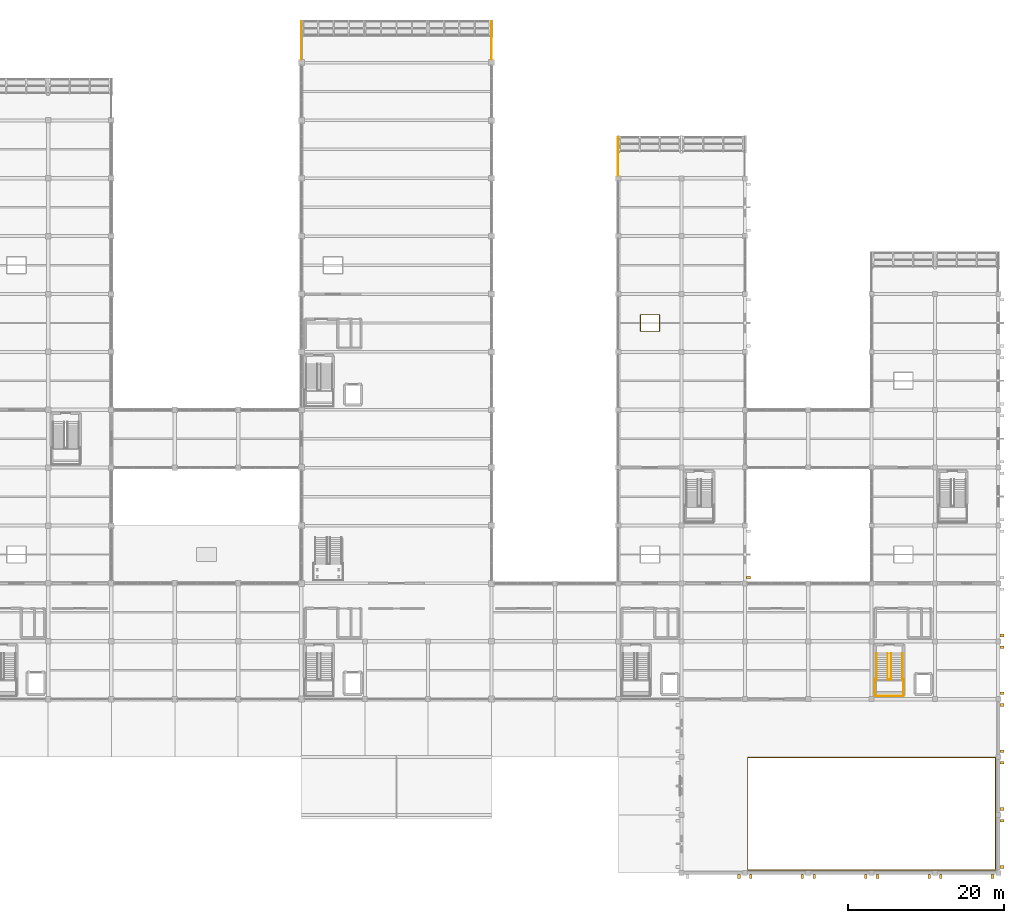
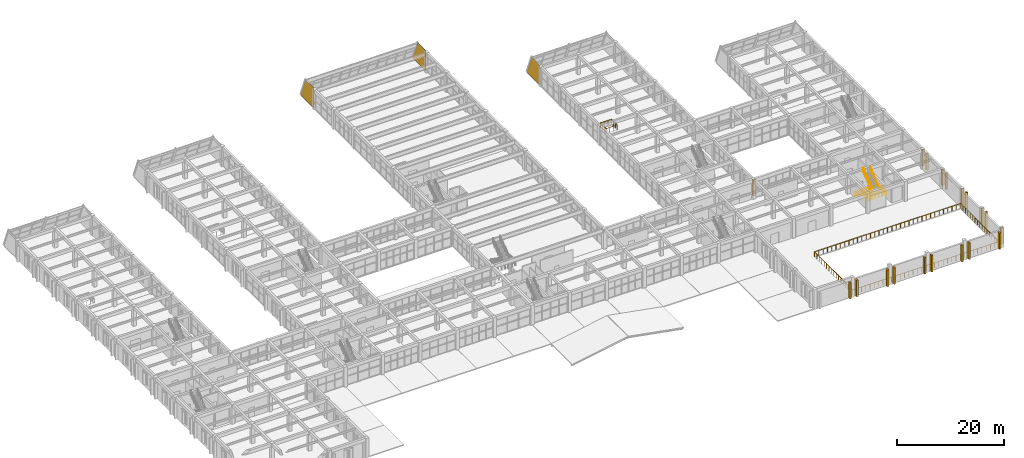
# One storey, part 160 of 161: 19 shading devices, 6 railings, 3 coverings.
"""IFC4 building model written with IfcOpenShell, lengths in metres."""

from ifc_helpers import new_model, si_unit, direction, frame, origin, origin_2d, place, context, subcontext, project, spatial, polyline, rectangle, circle, outline, extrude, material, layer, layer_set, type_object, element, save


model = new_model("IFC4")

# Units and contexts
model_context = context("Model", 3, precision=1e-05, world=origin(), true_north=direction((0.0, 1.0)))
body_context = subcontext(model_context, "Body", "Model", "MODEL_VIEW")
ifc_project = project(units=[si_unit("LENGTHUNIT", "METRE"), si_unit("AREAUNIT", "SQUARE_METRE"), si_unit("VOLUMEUNIT", "CUBIC_METRE"), si_unit("PLANEANGLEUNIT", "RADIAN"), si_unit("MASSUNIT", "GRAM", prefix="KILO")], contexts=[model_context])

# Site, building, storey
site_placement = place(None, origin())
site = spatial("IfcSite", under=ifc_project, at=site_placement, CompositionType="ELEMENT")
building_placement = place(site_placement, origin())
building = spatial("IfcBuilding", under=site, at=building_placement, Name="Cimatlan Art Gallery", CompositionType="ELEMENT")
storey_placement = place(building_placement, frame((0.0, 0.0, 5.39990234375)))
storey = spatial("IfcBuildingStorey", under=building, at=storey_placement, Name="L01", CompositionType="ELEMENT", Elevation=5.39990234375)

# Coverings
ifc_material_1 = material(Name="Queretaro cantera limestone ashlar hood-mould", Category="masonry")
ifc_layer = layer(ifc_material_1, 0.0419921875)
ifc_layer_set = layer_set([ifc_layer], Name="Queretaro cantera limestone ashlar hood-mould")
covering_type = type_object("IfcCoveringType", Name="COV-CLAD-CANTERA-42", PredefinedType="CLADDING", material=ifc_layer_set)
for number, where, z_axis, x_axis, name in (
    (1, (74.89990234375, 105.64990234375, 0.0), (1.0, 0.0, 0.0), (0.0, 1.0, 0.0), "CLD-PRW-L01-B3-W"),
    (2, (99.199951171875, 105.64990234375, 0.0), (1.0, 0.0, 0.0), (0.0, 1.0, 0.0), "CLD-PRW-L01-B3-E"),
):
    element("IfcCovering", number, at=place(storey_placement, frame(where, z_axis=z_axis, x_axis=x_axis)), inside=storey, type_object=covering_type, Name=name, PredefinedType="CLADDING", context=body_context, shape_type="SweptSolid", body=[
        extrude(outline(polyline([(0.0, 0.0), (4.923095703125, 0.0), (3.0322265625, 4.580078125), (0.0, 4.580078125), (0.0, 0.0)])), origin(), (0.0, 0.0, -1.0), 0.0419921875),
    ])
covering_placement = place(storey_placement, frame((115.39990234375, 90.85009765625, 0.0), z_axis=(1.0, 0.0, 0.0), x_axis=(0.0, 1.0, 0.0)))
element("IfcCovering", 3, at=covering_placement, inside=storey, type_object=covering_type, Name="CLD-PRW-L01-B4-W", PredefinedType="CLADDING", context=body_context, shape_type="SweptSolid", body=[
    extrude(outline(polyline([(0.0, 0.0), (4.9228515625, 0.0), (3.031982421875, 4.580078125), (0.0, 4.580078125), (0.0, 0.0)])), origin(), (0.0, 0.0, -1.0), 0.0419921875),
])

# Railings
ifc_material_2 = material(Name="Painted steel and bronze interior balustrade", Category="steel")
railing_type_1 = type_object("IfcRailingType", Name="RL-BAL-INT-1120", PredefinedType="BALUSTRADE", material=ifc_material_2)
railing_1_placement = place(storey_placement, frame((148.2099609375, 26.510009765625, 2.400146484375)))
element("IfcRailing", 4, at=railing_1_placement, inside=storey, type_object=railing_type_1, Name="STR-C5-L01-LGRD", PredefinedType="BALUSTRADE", context=body_context, shape_type="SweptSolid", body=[
    extrude(circle(Radius=0.02392578125, at=origin_2d()), frame((0.0, 0.0, 1.09619140625), z_axis=(0.0, -1.0, 0.0), x_axis=(1.0, 0.0, 0.0)), (0.0, 0.0, 1.0), 2.199951171875),
    extrude(circle(Radius=0.02392578125, at=origin_2d()), frame((0.0, -2.199951171875, 1.09619140625), z_axis=(1.0, 0.0, 0.0), x_axis=(0.0, 1.0, 0.0)), (0.0, 0.0, 1.0), 3.669921875),
    extrude(circle(Radius=0.02392578125, at=origin_2d()), frame((3.669921875, -2.199951171875, 1.09619140625), z_axis=(0.0, 1.0, 0.0), x_axis=(-1.0, 0.0, 0.0)), (0.0, 0.0, 1.0), 2.199951171875),
    extrude(circle(Radius=0.02001953125, at=origin_2d()), origin(), (0.0, 0.0, 1.0), 1.072021484375),
    extrude(circle(Radius=0.02001953125, at=origin_2d()), frame((0.0, -0.7333984375, 0.0)), (0.0, 0.0, 1.0), 1.072021484375),
    extrude(circle(Radius=0.02001953125, at=origin_2d()), frame((0.0, -1.466552734375, 0.0)), (0.0, 0.0, 1.0), 1.072021484375),
    extrude(circle(Radius=0.02001953125, at=origin_2d()), frame((0.0, -2.199951171875, 0.0)), (0.0, 0.0, 1.0), 1.072021484375),
    extrude(circle(Radius=0.02001953125, at=origin_2d()), frame((0.73388671875, -2.199951171875, 0.0)), (0.0, 0.0, 1.0), 1.072021484375),
    extrude(circle(Radius=0.02001953125, at=origin_2d()), frame((1.468017578125, -2.199951171875, 0.0)), (0.0, 0.0, 1.0), 1.072021484375),
    extrude(circle(Radius=0.02001953125, at=origin_2d()), frame((2.201904296875, -2.199951171875, 0.0)), (0.0, 0.0, 1.0), 1.072021484375),
    extrude(circle(Radius=0.02001953125, at=origin_2d()), frame((2.93603515625, -2.199951171875, 0.0)), (0.0, 0.0, 1.0), 1.072021484375),
    extrude(circle(Radius=0.02001953125, at=origin_2d()), frame((3.669921875, -2.199951171875, 0.0)), (0.0, 0.0, 1.0), 1.072021484375),
    extrude(circle(Radius=0.02001953125, at=origin_2d()), frame((3.669921875, -1.466552734375, 0.0)), (0.0, 0.0, 1.0), 1.072021484375),
    extrude(circle(Radius=0.02001953125, at=origin_2d()), frame((3.669921875, -0.7333984375, 0.0)), (0.0, 0.0, 1.0), 1.072021484375),
    extrude(circle(Radius=0.02001953125, at=origin_2d()), frame((3.669921875, 0.0, 0.0)), (0.0, 0.0, 1.0), 1.072021484375),
])
railing_2_placement = place(storey_placement, frame((149.8701171875, 29.780029296875, 0.0)))
element("IfcRailing", 5, at=railing_2_placement, inside=storey, type_object=railing_type_1, Name="STR-C5-L01-GRD", PredefinedType="BALUSTRADE", context=body_context, shape_type="SweptSolid", body=[
    extrude(circle(Radius=0.02392578125, at=origin_2d()), frame((0.0, 0.0, 1.09619140625), z_axis=(0.0, -0.815353794257, 0.578963030072), x_axis=(1.0, 0.0, 0.0)), (0.0, 0.0, 1.0), 4.1455078125),
    extrude(circle(Radius=0.02392578125, at=origin_2d()), frame((0.0, -3.380126953125, 3.49609375), z_axis=(1.0, 0.0, 0.0), x_axis=(0.0, 1.0, 0.0)), (0.0, 0.0, 1.0), 0.39990234375),
    extrude(circle(Radius=0.02392578125, at=origin_2d()), frame((0.39990234375, -3.380126953125, 3.49609375), z_axis=(0.0, 0.815381594603, 0.578923876847), x_axis=(-1.0, 0.0, 0.0)), (0.0, 0.0, 1.0), 4.1455078125),
    extrude(circle(Radius=0.02001953125, at=origin_2d()), origin(), (0.0, 0.0, 1.0), 1.072021484375),
    extrude(circle(Radius=0.02001953125, at=origin_2d()), frame((0.0, -0.676025390625, 0.47998046875)), (0.0, 0.0, 1.0), 1.072021484375),
    extrude(circle(Radius=0.02001953125, at=origin_2d()), frame((0.0, -1.35205078125, 0.9599609375)), (0.0, 0.0, 1.0), 1.072021484375),
    extrude(circle(Radius=0.02001953125, at=origin_2d()), frame((0.0, -2.028076171875, 1.440185546875)), (0.0, 0.0, 1.0), 1.072021484375),
    extrude(circle(Radius=0.02001953125, at=origin_2d()), frame((0.0, -2.7041015625, 1.920166015625)), (0.0, 0.0, 1.0), 1.072021484375),
    extrude(circle(Radius=0.02001953125, at=origin_2d()), frame((0.0, -3.380126953125, 2.400146484375)), (0.0, 0.0, 1.0), 1.072021484375),
    extrude(circle(Radius=0.02001953125, at=origin_2d()), frame((0.39990234375, -3.380126953125, 2.400146484375)), (0.0, 0.0, 1.0), 1.072021484375),
    extrude(circle(Radius=0.02001953125, at=origin_2d()), frame((0.39990234375, -2.7041015625, 2.880126953125)), (0.0, 0.0, 1.0), 1.072021484375),
    extrude(circle(Radius=0.02001953125, at=origin_2d()), frame((0.39990234375, -2.028076171875, 3.360107421875)), (0.0, 0.0, 1.0), 1.072021484375),
    extrude(circle(Radius=0.02001953125, at=origin_2d()), frame((0.39990234375, -1.35205078125, 3.840087890625)), (0.0, 0.0, 1.0), 1.072021484375),
    extrude(circle(Radius=0.02001953125, at=origin_2d()), frame((0.39990234375, -0.676025390625, 4.320068359375)), (0.0, 0.0, 1.0), 1.072021484375),
    extrude(circle(Radius=0.02001953125, at=origin_2d()), frame((0.39990234375, 0.0, 4.800048828125)), (0.0, 0.0, 1.0), 1.072021484375),
])
railing_3_placement = place(storey_placement, frame((118.239990234375, 70.93994140625, 0.0)))
element("IfcRailing", 6, at=railing_3_placement, inside=storey, type_object=railing_type_1, Name="GR-OCU-L01-B4N", PredefinedType="BALUSTRADE", context=body_context, shape_type="SweptSolid", body=[
    extrude(circle(Radius=0.02392578125, at=origin_2d()), frame((0.0, 0.0, 1.09619140625), z_axis=(1.0, 0.0, 0.0), x_axis=(0.0, 1.0, 0.0)), (0.0, 0.0, 1.0), 2.419921875),
    extrude(circle(Radius=0.02392578125, at=origin_2d()), frame((2.419921875, 0.0, 1.09619140625), z_axis=(0.0, 1.0, 0.0), x_axis=(-1.0, 0.0, 0.0)), (0.0, 0.0, 1.0), 2.1201171875),
    extrude(circle(Radius=0.02392578125, at=origin_2d()), frame((2.419921875, 2.1201171875, 1.09619140625), z_axis=(-1.0, 0.0, 0.0), x_axis=(0.0, -1.0, 0.0)), (0.0, 0.0, 1.0), 2.419921875),
    extrude(circle(Radius=0.02392578125, at=origin_2d()), frame((0.0, 2.1201171875, 1.09619140625), z_axis=(0.0, -1.0, 0.0), x_axis=(1.0, 0.0, 0.0)), (0.0, 0.0, 1.0), 2.080078125),
    extrude(circle(Radius=0.02001953125, at=origin_2d()), origin(), (0.0, 0.0, 1.0), 1.072021484375),
    extrude(circle(Radius=0.02001953125, at=origin_2d()), frame((0.806640625, 0.0, 0.0)), (0.0, 0.0, 1.0), 1.072021484375),
    extrude(circle(Radius=0.02001953125, at=origin_2d()), frame((1.61328125, 0.0, 0.0)), (0.0, 0.0, 1.0), 1.072021484375),
    extrude(circle(Radius=0.02001953125, at=origin_2d()), frame((2.419921875, 0.0, 0.0)), (0.0, 0.0, 1.0), 1.072021484375),
    extrude(circle(Radius=0.02001953125, at=origin_2d()), frame((2.419921875, 0.706787109375, 0.0)), (0.0, 0.0, 1.0), 1.072021484375),
    extrude(circle(Radius=0.02001953125, at=origin_2d()), frame((2.419921875, 1.413330078125, 0.0)), (0.0, 0.0, 1.0), 1.072021484375),
    extrude(circle(Radius=0.02001953125, at=origin_2d()), frame((2.419921875, 2.1201171875, 0.0)), (0.0, 0.0, 1.0), 1.072021484375),
    extrude(circle(Radius=0.02001953125, at=origin_2d()), frame((1.61328125, 2.1201171875, 0.0)), (0.0, 0.0, 1.0), 1.072021484375),
    extrude(circle(Radius=0.02001953125, at=origin_2d()), frame((0.806640625, 2.1201171875, 0.0)), (0.0, 0.0, 1.0), 1.072021484375),
    extrude(circle(Radius=0.02001953125, at=origin_2d()), frame((0.0, 2.1201171875, 0.0)), (0.0, 0.0, 1.0), 1.072021484375),
    extrude(circle(Radius=0.02001953125, at=origin_2d()), frame((0.0, 1.4267578125, 0.0)), (0.0, 0.0, 1.0), 1.072021484375),
    extrude(circle(Radius=0.02001953125, at=origin_2d()), frame((0.0, 0.7333984375, 0.0)), (0.0, 0.0, 1.0), 1.072021484375),
    extrude(circle(Radius=0.02001953125, at=origin_2d()), frame((0.0, 0.0400390625, 0.0)), (0.0, 0.0, 1.0), 1.072021484375),
])
railing_4_placement = place(storey_placement, frame((131.9599609375, 2.06005859375, 0.0)))
element("IfcRailing", 7, at=railing_4_placement, inside=storey, type_object=railing_type_1, Name="GR-AUD-BAL", PredefinedType="BALUSTRADE", context=body_context, shape_type="SweptSolid", body=[
    extrude(circle(Radius=0.02392578125, at=origin_2d()), frame((0.0, 0.0, 1.09619140625), z_axis=(0.0, 1.0, 0.0), x_axis=(-1.0, 0.0, 0.0)), (0.0, 0.0, 1.0), 14.39990234375),
    extrude(circle(Radius=0.02392578125, at=origin_2d()), frame((0.0, 14.39990234375, 1.09619140625), z_axis=(1.0, 0.0, 0.0), x_axis=(0.0, 1.0, 0.0)), (0.0, 0.0, 1.0), 31.679931640625),
    extrude(circle(Radius=0.02392578125, at=origin_2d()), frame((31.679931640625, 14.39990234375, 1.09619140625), z_axis=(0.0, -1.0, 0.0), x_axis=(1.0, 0.0, 0.0)), (0.0, 0.0, 1.0), 14.39990234375),
    extrude(circle(Radius=0.02392578125, at=origin_2d()), frame((31.679931640625, 0.0, 1.09619140625), z_axis=(-0.999999800332, 0.000631930885, 0.0), x_axis=(-0.000631930885, -0.999999800332, 0.0)), (0.0, 0.0, 1.0), 31.679931640625),
    extrude(circle(Radius=0.02001953125, at=origin_2d()), origin(), (0.0, 0.0, 1.0), 1.072021484375),
    extrude(circle(Radius=0.02001953125, at=origin_2d()), frame((0.0, 0.89990234375, 0.0)), (0.0, 0.0, 1.0), 1.072021484375),
    extrude(circle(Radius=0.02001953125, at=origin_2d()), frame((0.0, 1.800048828125, 0.0)), (0.0, 0.0, 1.0), 1.072021484375),
    extrude(circle(Radius=0.02001953125, at=origin_2d()), frame((0.0, 2.699951171875, 0.0)), (0.0, 0.0, 1.0), 1.072021484375),
    extrude(circle(Radius=0.02001953125, at=origin_2d()), frame((0.0, 3.60009765625, 0.0)), (0.0, 0.0, 1.0), 1.072021484375),
    extrude(circle(Radius=0.02001953125, at=origin_2d()), frame((0.0, 4.5, 0.0)), (0.0, 0.0, 1.0), 1.072021484375),
    extrude(circle(Radius=0.02001953125, at=origin_2d()), frame((0.0, 5.39990234375, 0.0)), (0.0, 0.0, 1.0), 1.072021484375),
    extrude(circle(Radius=0.02001953125, at=origin_2d()), frame((0.0, 6.300048828125, 0.0)), (0.0, 0.0, 1.0), 1.072021484375),
    extrude(circle(Radius=0.02001953125, at=origin_2d()), frame((0.0, 7.199951171875, 0.0)), (0.0, 0.0, 1.0), 1.072021484375),
    extrude(circle(Radius=0.02001953125, at=origin_2d()), frame((0.0, 8.099853515625, 0.0)), (0.0, 0.0, 1.0), 1.072021484375),
    extrude(circle(Radius=0.02001953125, at=origin_2d()), frame((0.0, 9.0, 0.0)), (0.0, 0.0, 1.0), 1.072021484375),
    extrude(circle(Radius=0.02001953125, at=origin_2d()), frame((0.0, 9.89990234375, 0.0)), (0.0, 0.0, 1.0), 1.072021484375),
    extrude(circle(Radius=0.02001953125, at=origin_2d()), frame((0.0, 10.7998046875, 0.0)), (0.0, 0.0, 1.0), 1.072021484375),
    extrude(circle(Radius=0.02001953125, at=origin_2d()), frame((0.0, 11.699951171875, 0.0)), (0.0, 0.0, 1.0), 1.072021484375),
    extrude(circle(Radius=0.02001953125, at=origin_2d()), frame((0.0, 12.599853515625, 0.0)), (0.0, 0.0, 1.0), 1.072021484375),
    extrude(circle(Radius=0.02001953125, at=origin_2d()), frame((0.0, 13.5, 0.0)), (0.0, 0.0, 1.0), 1.072021484375),
    extrude(circle(Radius=0.02001953125, at=origin_2d()), frame((0.0, 14.39990234375, 0.0)), (0.0, 0.0, 1.0), 1.072021484375),
    extrude(circle(Radius=0.02001953125, at=origin_2d()), frame((0.931640625, 14.39990234375, 0.0)), (0.0, 0.0, 1.0), 1.072021484375),
    extrude(circle(Radius=0.02001953125, at=origin_2d()), frame((1.863525390625, 14.39990234375, 0.0)), (0.0, 0.0, 1.0), 1.072021484375),
    extrude(circle(Radius=0.02001953125, at=origin_2d()), frame((2.79541015625, 14.39990234375, 0.0)), (0.0, 0.0, 1.0), 1.072021484375),
    extrude(circle(Radius=0.02001953125, at=origin_2d()), frame((3.72705078125, 14.39990234375, 0.0)), (0.0, 0.0, 1.0), 1.072021484375),
    extrude(circle(Radius=0.02001953125, at=origin_2d()), frame((4.65869140625, 14.39990234375, 0.0)), (0.0, 0.0, 1.0), 1.072021484375),
    extrude(circle(Radius=0.02001953125, at=origin_2d()), frame((5.590576171875, 14.39990234375, 0.0)), (0.0, 0.0, 1.0), 1.072021484375),
    extrude(circle(Radius=0.02001953125, at=origin_2d()), frame((6.5224609375, 14.39990234375, 0.0)), (0.0, 0.0, 1.0), 1.072021484375),
    extrude(circle(Radius=0.02001953125, at=origin_2d()), frame((7.4541015625, 14.39990234375, 0.0)), (0.0, 0.0, 1.0), 1.072021484375),
    extrude(circle(Radius=0.02001953125, at=origin_2d()), frame((8.3857421875, 14.39990234375, 0.0)), (0.0, 0.0, 1.0), 1.072021484375),
    extrude(circle(Radius=0.02001953125, at=origin_2d()), frame((9.317626953125, 14.39990234375, 0.0)), (0.0, 0.0, 1.0), 1.072021484375),
    extrude(circle(Radius=0.02001953125, at=origin_2d()), frame((10.24951171875, 14.39990234375, 0.0)), (0.0, 0.0, 1.0), 1.072021484375),
    extrude(circle(Radius=0.02001953125, at=origin_2d()), frame((11.18115234375, 14.39990234375, 0.0)), (0.0, 0.0, 1.0), 1.072021484375),
    extrude(circle(Radius=0.02001953125, at=origin_2d()), frame((12.11279296875, 14.39990234375, 0.0)), (0.0, 0.0, 1.0), 1.072021484375),
    extrude(circle(Radius=0.02001953125, at=origin_2d()), frame((13.044677734375, 14.39990234375, 0.0)), (0.0, 0.0, 1.0), 1.072021484375),
    extrude(circle(Radius=0.02001953125, at=origin_2d()), frame((13.9765625, 14.39990234375, 0.0)), (0.0, 0.0, 1.0), 1.072021484375),
    extrude(circle(Radius=0.02001953125, at=origin_2d()), frame((14.908203125, 14.39990234375, 0.0)), (0.0, 0.0, 1.0), 1.072021484375),
    extrude(circle(Radius=0.02001953125, at=origin_2d()), frame((15.83984375, 14.39990234375, 0.0)), (0.0, 0.0, 1.0), 1.072021484375),
    extrude(circle(Radius=0.02001953125, at=origin_2d()), frame((16.771728515625, 14.39990234375, 0.0)), (0.0, 0.0, 1.0), 1.072021484375),
    extrude(circle(Radius=0.02001953125, at=origin_2d()), frame((17.70361328125, 14.39990234375, 0.0)), (0.0, 0.0, 1.0), 1.072021484375),
    extrude(circle(Radius=0.02001953125, at=origin_2d()), frame((18.63525390625, 14.39990234375, 0.0)), (0.0, 0.0, 1.0), 1.072021484375),
    extrude(circle(Radius=0.02001953125, at=origin_2d()), frame((19.56689453125, 14.39990234375, 0.0)), (0.0, 0.0, 1.0), 1.072021484375),
    extrude(circle(Radius=0.02001953125, at=origin_2d()), frame((20.498779296875, 14.39990234375, 0.0)), (0.0, 0.0, 1.0), 1.072021484375),
    extrude(circle(Radius=0.02001953125, at=origin_2d()), frame((21.4306640625, 14.39990234375, 0.0)), (0.0, 0.0, 1.0), 1.072021484375),
    extrude(circle(Radius=0.02001953125, at=origin_2d()), frame((22.3623046875, 14.39990234375, 0.0)), (0.0, 0.0, 1.0), 1.072021484375),
    extrude(circle(Radius=0.02001953125, at=origin_2d()), frame((23.2939453125, 14.39990234375, 0.0)), (0.0, 0.0, 1.0), 1.072021484375),
    extrude(circle(Radius=0.02001953125, at=origin_2d()), frame((24.225830078125, 14.39990234375, 0.0)), (0.0, 0.0, 1.0), 1.072021484375),
    extrude(circle(Radius=0.02001953125, at=origin_2d()), frame((25.15771484375, 14.39990234375, 0.0)), (0.0, 0.0, 1.0), 1.072021484375),
    extrude(circle(Radius=0.02001953125, at=origin_2d()), frame((26.08935546875, 14.39990234375, 0.0)), (0.0, 0.0, 1.0), 1.072021484375),
    extrude(circle(Radius=0.02001953125, at=origin_2d()), frame((27.02099609375, 14.39990234375, 0.0)), (0.0, 0.0, 1.0), 1.072021484375),
    extrude(circle(Radius=0.02001953125, at=origin_2d()), frame((27.952880859375, 14.39990234375, 0.0)), (0.0, 0.0, 1.0), 1.072021484375),
    extrude(circle(Radius=0.02001953125, at=origin_2d()), frame((28.884765625, 14.39990234375, 0.0)), (0.0, 0.0, 1.0), 1.072021484375),
    extrude(circle(Radius=0.02001953125, at=origin_2d()), frame((29.81640625, 14.39990234375, 0.0)), (0.0, 0.0, 1.0), 1.072021484375),
    extrude(circle(Radius=0.02001953125, at=origin_2d()), frame((30.748046875, 14.39990234375, 0.0)), (0.0, 0.0, 1.0), 1.072021484375),
    extrude(circle(Radius=0.02001953125, at=origin_2d()), frame((31.679931640625, 14.39990234375, 0.0)), (0.0, 0.0, 1.0), 1.072021484375),
    extrude(circle(Radius=0.02001953125, at=origin_2d()), frame((31.679931640625, 13.5, 0.0)), (0.0, 0.0, 1.0), 1.072021484375),
    extrude(circle(Radius=0.02001953125, at=origin_2d()), frame((31.679931640625, 12.599853515625, 0.0)), (0.0, 0.0, 1.0), 1.072021484375),
    extrude(circle(Radius=0.02001953125, at=origin_2d()), frame((31.679931640625, 11.699951171875, 0.0)), (0.0, 0.0, 1.0), 1.072021484375),
    extrude(circle(Radius=0.02001953125, at=origin_2d()), frame((31.679931640625, 10.7998046875, 0.0)), (0.0, 0.0, 1.0), 1.072021484375),
    extrude(circle(Radius=0.02001953125, at=origin_2d()), frame((31.679931640625, 9.89990234375, 0.0)), (0.0, 0.0, 1.0), 1.072021484375),
    extrude(circle(Radius=0.02001953125, at=origin_2d()), frame((31.679931640625, 9.0, 0.0)), (0.0, 0.0, 1.0), 1.072021484375),
    extrude(circle(Radius=0.02001953125, at=origin_2d()), frame((31.679931640625, 8.099853515625, 0.0)), (0.0, 0.0, 1.0), 1.072021484375),
    extrude(circle(Radius=0.02001953125, at=origin_2d()), frame((31.679931640625, 7.199951171875, 0.0)), (0.0, 0.0, 1.0), 1.072021484375),
    extrude(circle(Radius=0.02001953125, at=origin_2d()), frame((31.679931640625, 6.300048828125, 0.0)), (0.0, 0.0, 1.0), 1.072021484375),
    extrude(circle(Radius=0.02001953125, at=origin_2d()), frame((31.679931640625, 5.39990234375, 0.0)), (0.0, 0.0, 1.0), 1.072021484375),
    extrude(circle(Radius=0.02001953125, at=origin_2d()), frame((31.679931640625, 4.5, 0.0)), (0.0, 0.0, 1.0), 1.072021484375),
    extrude(circle(Radius=0.02001953125, at=origin_2d()), frame((31.679931640625, 3.60009765625, 0.0)), (0.0, 0.0, 1.0), 1.072021484375),
    extrude(circle(Radius=0.02001953125, at=origin_2d()), frame((31.679931640625, 2.699951171875, 0.0)), (0.0, 0.0, 1.0), 1.072021484375),
    extrude(circle(Radius=0.02001953125, at=origin_2d()), frame((31.679931640625, 1.800048828125, 0.0)), (0.0, 0.0, 1.0), 1.072021484375),
    extrude(circle(Radius=0.02001953125, at=origin_2d()), frame((31.679931640625, 0.89990234375, 0.0)), (0.0, 0.0, 1.0), 1.072021484375),
    extrude(circle(Radius=0.02001953125, at=origin_2d()), frame((31.679931640625, 0.0, 0.0)), (0.0, 0.0, 1.0), 1.072021484375),
    extrude(circle(Radius=0.02001953125, at=origin_2d()), frame((30.748046875, 0.00048828125, 0.0)), (0.0, 0.0, 1.0), 1.072021484375),
    extrude(circle(Radius=0.02001953125, at=origin_2d()), frame((29.81640625, 0.001220703125, 0.0)), (0.0, 0.0, 1.0), 1.072021484375),
    extrude(circle(Radius=0.02001953125, at=origin_2d()), frame((28.884765625, 0.001708984375, 0.0)), (0.0, 0.0, 1.0), 1.072021484375),
    extrude(circle(Radius=0.02001953125, at=origin_2d()), frame((27.952880859375, 0.00244140625, 0.0)), (0.0, 0.0, 1.0), 1.072021484375),
    extrude(circle(Radius=0.02001953125, at=origin_2d()), frame((27.02099609375, 0.0029296875, 0.0)), (0.0, 0.0, 1.0), 1.072021484375),
    extrude(circle(Radius=0.02001953125, at=origin_2d()), frame((26.08935546875, 0.00341796875, 0.0)), (0.0, 0.0, 1.0), 1.072021484375),
    extrude(circle(Radius=0.02001953125, at=origin_2d()), frame((25.15771484375, 0.004150390625, 0.0)), (0.0, 0.0, 1.0), 1.072021484375),
    extrude(circle(Radius=0.02001953125, at=origin_2d()), frame((24.225830078125, 0.004638671875, 0.0)), (0.0, 0.0, 1.0), 1.072021484375),
    extrude(circle(Radius=0.02001953125, at=origin_2d()), frame((23.2939453125, 0.00537109375, 0.0)), (0.0, 0.0, 1.0), 1.072021484375),
    extrude(circle(Radius=0.02001953125, at=origin_2d()), frame((22.3623046875, 0.005859375, 0.0)), (0.0, 0.0, 1.0), 1.072021484375),
    extrude(circle(Radius=0.02001953125, at=origin_2d()), frame((21.4306640625, 0.006591796875, 0.0)), (0.0, 0.0, 1.0), 1.072021484375),
    extrude(circle(Radius=0.02001953125, at=origin_2d()), frame((20.498779296875, 0.007080078125, 0.0)), (0.0, 0.0, 1.0), 1.072021484375),
    extrude(circle(Radius=0.02001953125, at=origin_2d()), frame((19.56689453125, 0.007568359375, 0.0)), (0.0, 0.0, 1.0), 1.072021484375),
    extrude(circle(Radius=0.02001953125, at=origin_2d()), frame((18.63525390625, 0.00830078125, 0.0)), (0.0, 0.0, 1.0), 1.072021484375),
    extrude(circle(Radius=0.02001953125, at=origin_2d()), frame((17.70361328125, 0.0087890625, 0.0)), (0.0, 0.0, 1.0), 1.072021484375),
    extrude(circle(Radius=0.02001953125, at=origin_2d()), frame((16.771728515625, 0.009521484375, 0.0)), (0.0, 0.0, 1.0), 1.072021484375),
    extrude(circle(Radius=0.02001953125, at=origin_2d()), frame((15.83984375, 0.010009765625, 0.0)), (0.0, 0.0, 1.0), 1.072021484375),
    extrude(circle(Radius=0.02001953125, at=origin_2d()), frame((14.908203125, 0.010498046875, 0.0)), (0.0, 0.0, 1.0), 1.072021484375),
    extrude(circle(Radius=0.02001953125, at=origin_2d()), frame((13.9765625, 0.01123046875, 0.0)), (0.0, 0.0, 1.0), 1.072021484375),
    extrude(circle(Radius=0.02001953125, at=origin_2d()), frame((13.044677734375, 0.01171875, 0.0)), (0.0, 0.0, 1.0), 1.072021484375),
    extrude(circle(Radius=0.02001953125, at=origin_2d()), frame((12.11279296875, 0.012451171875, 0.0)), (0.0, 0.0, 1.0), 1.072021484375),
    extrude(circle(Radius=0.02001953125, at=origin_2d()), frame((11.18115234375, 0.012939453125, 0.0)), (0.0, 0.0, 1.0), 1.072021484375),
    extrude(circle(Radius=0.02001953125, at=origin_2d()), frame((10.24951171875, 0.013427734375, 0.0)), (0.0, 0.0, 1.0), 1.072021484375),
    extrude(circle(Radius=0.02001953125, at=origin_2d()), frame((9.317626953125, 0.01416015625, 0.0)), (0.0, 0.0, 1.0), 1.072021484375),
    extrude(circle(Radius=0.02001953125, at=origin_2d()), frame((8.3857421875, 0.0146484375, 0.0)), (0.0, 0.0, 1.0), 1.072021484375),
    extrude(circle(Radius=0.02001953125, at=origin_2d()), frame((7.4541015625, 0.015380859375, 0.0)), (0.0, 0.0, 1.0), 1.072021484375),
    extrude(circle(Radius=0.02001953125, at=origin_2d()), frame((6.5224609375, 0.015869140625, 0.0)), (0.0, 0.0, 1.0), 1.072021484375),
    extrude(circle(Radius=0.02001953125, at=origin_2d()), frame((5.590576171875, 0.0166015625, 0.0)), (0.0, 0.0, 1.0), 1.072021484375),
    extrude(circle(Radius=0.02001953125, at=origin_2d()), frame((4.65869140625, 0.01708984375, 0.0)), (0.0, 0.0, 1.0), 1.072021484375),
    extrude(circle(Radius=0.02001953125, at=origin_2d()), frame((3.72705078125, 0.017578125, 0.0)), (0.0, 0.0, 1.0), 1.072021484375),
    extrude(circle(Radius=0.02001953125, at=origin_2d()), frame((2.79541015625, 0.018310546875, 0.0)), (0.0, 0.0, 1.0), 1.072021484375),
    extrude(circle(Radius=0.02001953125, at=origin_2d()), frame((1.863525390625, 0.018798828125, 0.0)), (0.0, 0.0, 1.0), 1.072021484375),
    extrude(circle(Radius=0.02001953125, at=origin_2d()), frame((0.931640625, 0.01953125, 0.0)), (0.0, 0.0, 1.0), 1.072021484375),
    extrude(circle(Radius=0.02001953125, at=origin_2d()), frame((0.0, 0.02001953125, 0.0)), (0.0, 0.0, 1.0), 1.072021484375),
])
ifc_material_3 = material(Name="Brushed bronze stair handrail")
railing_type_2 = type_object("IfcRailingType", Name="RL-HND-INT-920", PredefinedType="HANDRAIL", material=ifc_material_3)
railing_5_placement = place(storey_placement, frame((148.409912109375, 29.780029296875, 0.0)))
element("IfcRailing", 8, at=railing_5_placement, inside=storey, type_object=railing_type_2, Name="STR-C5-L01-HR1", PredefinedType="HANDRAIL", context=body_context, shape_type="SweptSolid", body=[
    extrude(circle(Radius=0.02197265625, at=origin_2d()), frame((0.0, 0.0, 0.89794921875), z_axis=(0.0, -0.815353794257, 0.578963030072), x_axis=(1.0, 0.0, 0.0)), (0.0, 0.0, 1.0), 4.1455078125),
    extrude(circle(Radius=0.01904296875, at=origin_2d()), origin(), (0.0, 0.0, 1.0), 0.8759765625),
    extrude(circle(Radius=0.01904296875, at=origin_2d()), frame((0.0, -0.676025390625, 0.47998046875)), (0.0, 0.0, 1.0), 0.8759765625),
    extrude(circle(Radius=0.01904296875, at=origin_2d()), frame((0.0, -1.35205078125, 0.9599609375)), (0.0, 0.0, 1.0), 0.8759765625),
    extrude(circle(Radius=0.01904296875, at=origin_2d()), frame((0.0, -2.028076171875, 1.440185546875)), (0.0, 0.0, 1.0), 0.8759765625),
    extrude(circle(Radius=0.01904296875, at=origin_2d()), frame((0.0, -2.7041015625, 1.920166015625)), (0.0, 0.0, 1.0), 0.8759765625),
    extrude(circle(Radius=0.01904296875, at=origin_2d()), frame((0.0, -3.380126953125, 2.400146484375)), (0.0, 0.0, 1.0), 0.8759765625),
])
railing_6_placement = place(storey_placement, frame((151.72998046875, 26.39990234375, 2.400146484375)))
element("IfcRailing", 9, at=railing_6_placement, inside=storey, type_object=railing_type_2, Name="STR-C5-L01-HR2", PredefinedType="HANDRAIL", context=body_context, shape_type="SweptSolid", body=[
    extrude(circle(Radius=0.02197265625, at=origin_2d()), frame((0.0, 0.0, 0.89794921875), z_axis=(0.0, 0.815381594603, 0.578923876847), x_axis=(-1.0, 0.0, 0.0)), (0.0, 0.0, 1.0), 4.1455078125),
    extrude(circle(Radius=0.01904296875, at=origin_2d()), origin(), (0.0, 0.0, 1.0), 0.8759765625),
    extrude(circle(Radius=0.01904296875, at=origin_2d()), frame((0.0, 0.676025390625, 0.47998046875)), (0.0, 0.0, 1.0), 0.8759765625),
    extrude(circle(Radius=0.01904296875, at=origin_2d()), frame((0.0, 1.35205078125, 0.9599609375)), (0.0, 0.0, 1.0), 0.8759765625),
    extrude(circle(Radius=0.01904296875, at=origin_2d()), frame((0.0, 2.028076171875, 1.43994140625)), (0.0, 0.0, 1.0), 0.8759765625),
    extrude(circle(Radius=0.01904296875, at=origin_2d()), frame((0.0, 2.7041015625, 1.919921875)), (0.0, 0.0, 1.0), 0.8759765625),
    extrude(circle(Radius=0.01904296875, at=origin_2d()), frame((0.0, 3.380126953125, 2.39990234375)), (0.0, 0.0, 1.0), 0.8759765625),
])

# Shading devices
ifc_material_4 = material(Name="Queretaro cantera limestone buttress pilaster", Category="masonry")
shading_device_type = type_object("IfcShadingDeviceType", Name="SHD-BUT-520", PredefinedType="USERDEFINED", material=ifc_material_4)
for number, where, z_axis, x_axis, name in (
    (10, (130.85107421875, 1.24951171875, 0.06005859375), (0.0, 0.0, 1.0), (-1.0, 0.0, 0.0), "BUT-0173"),
    (11, (132.068115234375, 39.448974609375, 0.06005859375), (0.0, 0.0, 1.0), (0.0, -1.0, 0.0), "BUT-0182"),
    (12, (164.450439453125, 23.15087890625, 0.06005859375), (0.0, 0.0, 1.0), (0.0, -1.0, 0.0), "BUT-0187"),
    (13, (164.450439453125, 17.2490234375, 0.06005859375), (0.0, 0.0, 1.0), (0.0, -1.0, 0.0), "BUT-0188"),
    (14, (164.468017578125, 30.551025390625, 0.06005859375), (0.0, 0.0, 1.0), (0.0, -1.0, 0.0), "BUT-0189"),
    (15, (164.468017578125, 24.64892578125, 0.06005859375), (0.0, 0.0, 1.0), (0.0, -1.0, 0.0), "BUT-0190"),
    (16, (164.468017578125, 32.049072265625, 0.06005859375), (0.0, 0.0, 1.0), (0.0, -1.0, 0.0), "BUT-0192"),
):
    element("IfcShadingDevice", number, at=place(storey_placement, frame(where, z_axis=z_axis, x_axis=x_axis)), inside=storey, type_object=shading_device_type, Name=name, ObjectType="FIN", PredefinedType="USERDEFINED", context=body_context, shape_type="SweptSolid", body=[
        extrude(rectangle(XDim=0.340087890625, YDim=0.52001953125, at=origin_2d()), origin(), (0.0, 0.0, 1.0), 3.675048828125),
    ])
for number, where, z_axis, x_axis, name in (
    (17, (138.950927734375, 1.24951171875, 0.06005859375), (0.0, 0.0, 1.0), (-1.0, 0.0, 0.0), "BUT-0203"),
    (18, (132.34912109375, 1.24951171875, 0.06005859375), (0.0, 0.0, 1.0), (-1.0, 0.0, 0.0), "BUT-0204"),
    (19, (147.051025390625, 1.24951171875, 0.06005859375), (0.0, 0.0, 1.0), (-1.0, 0.0, 0.0), "BUT-0205"),
    (20, (140.448974609375, 1.24951171875, 0.06005859375), (0.0, 0.0, 1.0), (-1.0, 0.0, 0.0), "BUT-0206"),
    (21, (155.15087890625, 1.24951171875, 0.06005859375), (0.0, 0.0, 1.0), (-1.0, 0.0, 0.0), "BUT-0207"),
    (22, (148.549072265625, 1.24951171875, 0.06005859375), (0.0, 0.0, 1.0), (-1.0, 0.0, 0.0), "BUT-0208"),
    (23, (163.2509765625, 1.24951171875, 0.06005859375), (0.0, 0.0, 1.0), (-1.0, 0.0, 0.0), "BUT-0209"),
    (24, (156.64892578125, 1.24951171875, 0.06005859375), (0.0, 0.0, 1.0), (-1.0, 0.0, 0.0), "BUT-0210"),
    (25, (164.450439453125, 8.35107421875, 0.06005859375), (0.0, 0.0, 1.0), (0.0, -1.0, 0.0), "BUT-0211"),
    (26, (164.450439453125, 2.448974609375, 0.06005859375), (0.0, 0.0, 1.0), (0.0, -1.0, 0.0), "BUT-0212"),
    (27, (164.450439453125, 15.7509765625, 0.06005859375), (0.0, 0.0, 1.0), (0.0, -1.0, 0.0), "BUT-0213"),
    (28, (164.450439453125, 9.84912109375, 0.06005859375), (0.0, 0.0, 1.0), (0.0, -1.0, 0.0), "BUT-0214"),
):
    element("IfcShadingDevice", number, at=place(storey_placement, frame(where, z_axis=z_axis, x_axis=x_axis)), inside=storey, type_object=shading_device_type, Name=name, ObjectType="FIN", PredefinedType="USERDEFINED", context=body_context, shape_type="SweptSolid", body=[
        extrude(rectangle(XDim=0.340087890625, YDim=0.52001953125, at=origin_2d()), origin(), (0.0, 0.0, 1.0), 3.800048828125),
    ])

save(model, "model.ifc")
